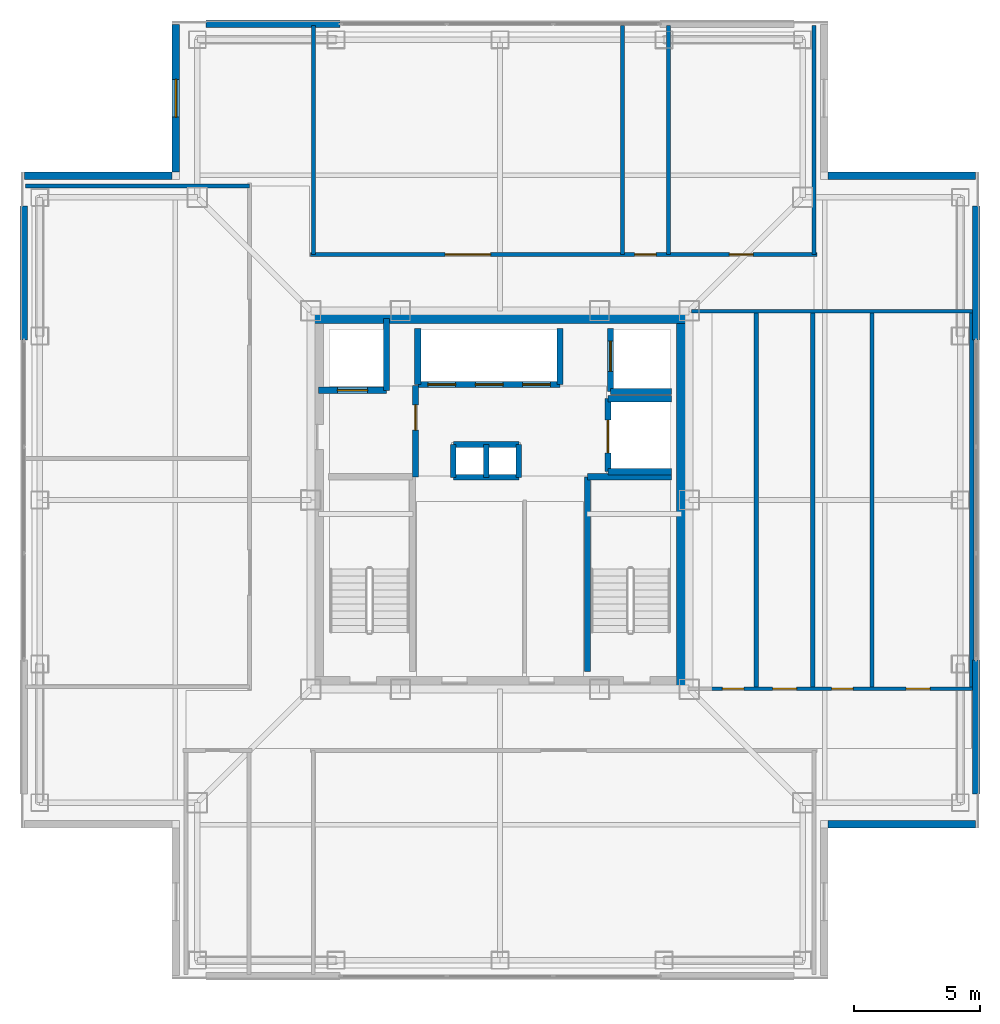
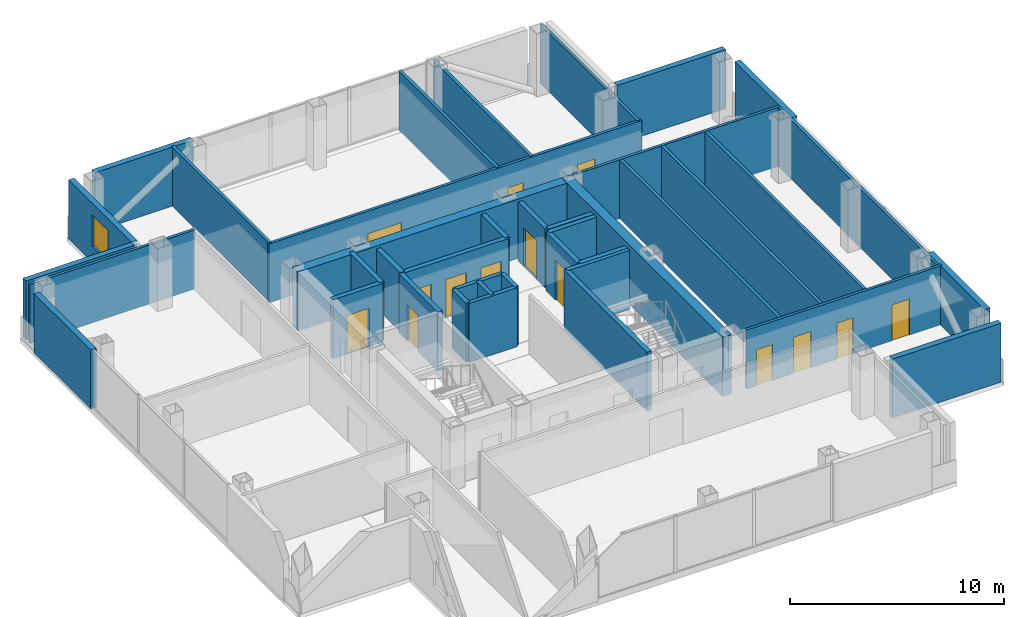
# One storey, part 9 of 16: 40 walls, 14 doors, 1 window, 15 openings.
"""IFC4 building model written with IfcOpenShell, lengths in metres."""

from ifc_helpers import new_model, si_unit, direction, frame, frame_2d, origin, place, context, subcontext, project, spatial, rectangle, extrude, material, layer, layer_set, type_object, element, fill, save


model = new_model("IFC4")

# Units and contexts
model_context = context("Model", 3, precision=1e-05, world=origin(), true_north=direction((0.0, 1.0)))
body_context = subcontext(model_context, "Body", "Model", "MODEL_VIEW")
ifc_project = project(units=[si_unit("LENGTHUNIT", "METRE"), si_unit("AREAUNIT", "SQUARE_METRE"), si_unit("VOLUMEUNIT", "CUBIC_METRE"), si_unit("PLANEANGLEUNIT", "RADIAN"), si_unit("MASSUNIT", "GRAM", prefix="KILO")], contexts=[model_context])

# Site, building, storey
site_placement = place(None, origin())
site = spatial("IfcSite", under=ifc_project, at=site_placement, CompositionType="ELEMENT")
building_placement = place(site_placement, origin())
building = spatial("IfcBuilding", under=site, at=building_placement, Name="Trevonay Congress Spire", CompositionType="ELEMENT")
storey_placement = place(building_placement, frame((0.0, 0.0, 257.60009765625)))
storey = spatial("IfcBuildingStorey", under=building, at=storey_placement, Name="L67", CompositionType="ELEMENT", Elevation=257.60009765625)

# Walls
ifc_material_1 = material(Name="Concrete C50/60", Category="concrete")
ifc_layer_1 = layer(ifc_material_1, 0.5, Name="Concrete C50/60")
ifc_layer_set_1 = layer_set([ifc_layer_1], Name="Concrete C50/60")
wall_type_1 = type_object("IfcWallType", Name="WAL-CORE-500", PredefinedType="SHEAR", material=ifc_layer_set_1)
for number, where, z_axis, x_axis, name in (
    (1, (-7.5, 7.25, 0.0), (0.0, 0.0, 1.0), (1.0, 0.0, 0.0), "L67 North structural core shear wall"),
    (2, (7.25, -7.5, 0.0), (0.0, 0.0, 1.0), (0.0, 1.0, 0.0), "L67 East structural core shear wall"),
):
    element("IfcWall", number, at=place(storey_placement, frame(where, z_axis=z_axis, x_axis=x_axis)), inside=storey, type_object=wall_type_1, Name=name, PredefinedType="SHEAR", context=body_context, shape_type="SweptSolid", body=[
        extrude(rectangle(XDim=15.0, YDim=0.5, at=frame_2d((7.5, 0.0))), origin(), (0.0, 0.0, 1.0), 3.35986328125),
    ])

# Wall, openings, doors
ifc_material_2 = material(Name="Concrete C40/50", Category="concrete")
ifc_layer_2 = layer(ifc_material_2, 0.14990234375, Name="Concrete C40/50")
ifc_layer_set_2 = layer_set([ifc_layer_2], Name="Concrete C40/50")
wall_type_2 = type_object("IfcWallType", Name="WAL-CORR-150", PredefinedType="PARTITIONING", material=ifc_layer_set_2)
wall_1_placement = place(storey_placement, frame((-7.52001953125, 9.72998046875, 0.0), z_axis=(0.0, 0.0, 1.0), x_axis=(1.0, 0.0, 0.0)))
wall_1 = element("IfcWall", 3, at=wall_1_placement, inside=storey, type_object=wall_type_2, Name="L67 interior wall WP-L67N-COR", PredefinedType="PARTITIONING", context=body_context, shape_type="SweptSolid", body=[
    extrude(rectangle(XDim=20.090087890625, YDim=0.14990234375, at=frame_2d((10.044921875, 0.0))), origin(), (0.0, 0.0, 1.0), 3.35986328125),
])
opening_1_placement = place(wall_1_placement, frame((5.344970703125, 0.0, 0.0)))
opening_1 = element("IfcOpeningElement", 4, at=opening_1_placement, cuts=wall_1, Name="Opening D09", PredefinedType="OPENING", context=body_context, shape_type="SweptSolid", body=[
    extrude(rectangle(XDim=1.800048828125, YDim=2.080078125, at=frame_2d((0.89990234375, 1.0400390625))), frame((0.0, 0.0849609375, 0.0), z_axis=(0.0, -1.0, 0.0), x_axis=(1.0, 0.0, 0.0)), (0.0, 0.0, 1.0), 0.169921875),
])
opening_2_placement = place(wall_1_placement, frame((12.860107421875, 0.0, 0.0)))
opening_2 = element("IfcOpeningElement", 5, at=opening_2_placement, cuts=wall_1, Name="Opening D10", PredefinedType="OPENING", context=body_context, shape_type="SweptSolid", body=[
    extrude(rectangle(XDim=0.85009765625, YDim=2.050048828125, at=frame_2d((0.425048828125, 1.02490234375))), frame((0.0, 0.0849609375, 0.0), z_axis=(0.0, -1.0, 0.0), x_axis=(1.0, 0.0, 0.0)), (0.0, 0.0, 1.0), 0.169921875),
])
opening_3_placement = place(wall_1_placement, frame((16.610107421875, 0.0, 0.0)))
opening_3 = element("IfcOpeningElement", 6, at=opening_3_placement, cuts=wall_1, Name="Opening D07", PredefinedType="OPENING", context=body_context, shape_type="SweptSolid", body=[
    extrude(rectangle(XDim=0.949951171875, YDim=2.06005859375, at=frame_2d((0.47509765625, 1.030029296875))), frame((0.0, 0.0849609375, 0.0), z_axis=(0.0, -1.0, 0.0), x_axis=(1.0, 0.0, 0.0)), (0.0, 0.0, 1.0), 0.169921875),
])
ifc_material_3 = material(Name="Pale Anodised Aluminium EN AW-6063-T6", Category="aluminium")
door_type_1 = type_object("IfcDoorType", Name="DOR-CONF-DBL", OperationType="DOUBLE_DOOR_SINGLE_SWING", PredefinedType="DOOR", material=ifc_material_3)
door_1_placement = place(opening_1_placement, origin())
door_1 = element("IfcDoor", 7, at=door_1_placement, inside=storey, type_object=door_type_1, Name="L67 Sky Cocktail Lounge Bar Door", OperationType="DOUBLE_DOOR_SINGLE_SWING", OverallHeight=2.080078125, OverallWidth=1.800048828125, PredefinedType="DOOR", context=body_context, shape_type="SweptSolid", body=[
    extrude(rectangle(XDim=1.800048828125, YDim=2.080078125, at=frame_2d((0.89990234375, 1.0400390625))), frame((0.0, 0.02490234375, 0.0), z_axis=(0.0, -1.0, 0.0), x_axis=(1.0, 0.0, 0.0)), (0.0, 0.0, 1.0), 0.050048828125),
])
fill(opening_1, door_1)
door_type_2 = type_object("IfcDoorType", Name="DOR-OFFICE-95", OperationType="NOTDEFINED", PredefinedType="DOOR", material=ifc_material_3)
door_2_placement = place(opening_3_placement, origin())
door_2 = element("IfcDoor", 8, at=door_2_placement, inside=storey, type_object=door_type_2, Name="L67 Floor Supplies and Copy Room Door", OperationType="SINGLE_SWING_RIGHT", OverallHeight=2.06005859375, OverallWidth=0.949951171875, PredefinedType="DOOR", context=body_context, shape_type="SweptSolid", body=[
    extrude(rectangle(XDim=0.949951171875, YDim=2.06005859375, at=frame_2d((0.47509765625, 1.030029296875))), frame((0.0, 0.02490234375, 0.0), z_axis=(0.0, -1.0, 0.0), x_axis=(1.0, 0.0, 0.0)), (0.0, 0.0, 1.0), 0.050048828125),
])
fill(opening_3, door_2)
door_type_3 = type_object("IfcDoorType", Name="DOR-WC-85", OperationType="NOTDEFINED", PredefinedType="DOOR", material=ifc_material_3)
door_3_placement = place(opening_2_placement, origin())
door_3 = element("IfcDoor", 9, at=door_3_placement, inside=storey, type_object=door_type_3, Name="L67 Accessible WC Door", OperationType="SINGLE_SWING_LEFT", OverallHeight=2.050048828125, OverallWidth=0.85009765625, PredefinedType="DOOR", context=body_context, shape_type="SweptSolid", body=[
    extrude(rectangle(XDim=0.85009765625, YDim=2.050048828125, at=frame_2d((0.425048828125, 1.02490234375))), frame((0.0, 0.02490234375, 0.0), z_axis=(0.0, -1.0, 0.0), x_axis=(1.0, 0.0, 0.0)), (0.0, 0.0, 1.0), 0.050048828125),
])
fill(opening_2, door_3)

wall_2_placement = place(storey_placement, frame((8.280029296875, -7.47998046875, 0.0), z_axis=(0.0, 0.0, 1.0), x_axis=(1.0, 0.0, 0.0)))
wall_2 = element("IfcWall", 10, at=wall_2_placement, inside=storey, type_object=wall_type_2, Name="L67 interior wall WP-L67E-COR", PredefinedType="PARTITIONING", context=body_context, shape_type="SweptSolid", body=[
    extrude(rectangle(XDim=10.5400390625, YDim=0.14990234375, at=frame_2d((5.27001953125, 0.0))), origin(), (0.0, 0.0, 1.0), 3.35986328125),
])
opening_4_placement = place(wall_2_placement, frame((0.534912109375, 0.0, 0.0)))
opening_4 = element("IfcOpeningElement", 11, at=opening_4_placement, cuts=wall_2, Name="Opening D10", PredefinedType="OPENING", context=body_context, shape_type="SweptSolid", body=[
    extrude(rectangle(XDim=0.85009765625, YDim=2.050048828125, at=frame_2d((0.425048828125, 1.02490234375))), frame((0.0, 0.0849609375, 0.0), z_axis=(0.0, -1.0, 0.0), x_axis=(1.0, 0.0, 0.0)), (0.0, 0.0, 1.0), 0.169921875),
])
opening_5_placement = place(wall_2_placement, frame((2.52490234375, 0.0, 0.0)))
opening_5 = element("IfcOpeningElement", 12, at=opening_5_placement, cuts=wall_2, Name="Opening D07", PredefinedType="OPENING", context=body_context, shape_type="SweptSolid", body=[
    extrude(rectangle(XDim=0.949951171875, YDim=2.06005859375, at=frame_2d((0.47509765625, 1.030029296875))), frame((0.0, 0.0849609375, 0.0), z_axis=(0.0, -1.0, 0.0), x_axis=(1.0, 0.0, 0.0)), (0.0, 0.0, 1.0), 0.169921875),
])
opening_6_placement = place(wall_2_placement, frame((4.8701171875, 0.0, 0.0)))
opening_6 = element("IfcOpeningElement", 13, at=opening_6_placement, cuts=wall_2, Name="Opening D10", PredefinedType="OPENING", context=body_context, shape_type="SweptSolid", body=[
    extrude(rectangle(XDim=0.85009765625, YDim=2.050048828125, at=frame_2d((0.425048828125, 1.02490234375))), frame((0.0, 0.0849609375, 0.0), z_axis=(0.0, -1.0, 0.0), x_axis=(1.0, 0.0, 0.0)), (0.0, 0.0, 1.0), 0.169921875),
])
opening_7_placement = place(wall_2_placement, frame((7.820068359375, 0.0, 0.0)))
opening_7 = element("IfcOpeningElement", 14, at=opening_7_placement, cuts=wall_2, Name="Opening D07", PredefinedType="OPENING", context=body_context, shape_type="SweptSolid", body=[
    extrude(rectangle(XDim=0.949951171875, YDim=2.06005859375, at=frame_2d((0.47509765625, 1.030029296875))), frame((0.0, 0.0849609375, 0.0), z_axis=(0.0, -1.0, 0.0), x_axis=(1.0, 0.0, 0.0)), (0.0, 0.0, 1.0), 0.169921875),
])
door_4_placement = place(opening_5_placement, origin())
door_4 = element("IfcDoor", 15, at=door_4_placement, inside=storey, type_object=door_type_2, Name="L67 Floor Supplies and Copy Room Door", OperationType="SINGLE_SWING_RIGHT", OverallHeight=2.06005859375, OverallWidth=0.949951171875, PredefinedType="DOOR", context=body_context, shape_type="SweptSolid", body=[
    extrude(rectangle(XDim=0.949951171875, YDim=2.06005859375, at=frame_2d((0.47509765625, 1.030029296875))), frame((0.0, 0.02490234375, 0.0), z_axis=(0.0, -1.0, 0.0), x_axis=(1.0, 0.0, 0.0)), (0.0, 0.0, 1.0), 0.050048828125),
])
fill(opening_5, door_4)
door_5_placement = place(opening_7_placement, origin())
door_5 = element("IfcDoor", 16, at=door_5_placement, inside=storey, type_object=door_type_2, Name="L67 Floor Supplies and Copy Room Door", OperationType="SINGLE_SWING_RIGHT", OverallHeight=2.06005859375, OverallWidth=0.949951171875, PredefinedType="DOOR", context=body_context, shape_type="SweptSolid", body=[
    extrude(rectangle(XDim=0.949951171875, YDim=2.06005859375, at=frame_2d((0.47509765625, 1.030029296875))), frame((0.0, 0.02490234375, 0.0), z_axis=(0.0, -1.0, 0.0), x_axis=(1.0, 0.0, 0.0)), (0.0, 0.0, 1.0), 0.050048828125),
])
fill(opening_7, door_5)
door_6_placement = place(opening_4_placement, origin())
door_6 = element("IfcDoor", 17, at=door_6_placement, inside=storey, type_object=door_type_3, Name="L67 Female Restroom WC Door", OperationType="SINGLE_SWING_LEFT", OverallHeight=2.050048828125, OverallWidth=0.85009765625, PredefinedType="DOOR", context=body_context, shape_type="SweptSolid", body=[
    extrude(rectangle(XDim=0.85009765625, YDim=2.050048828125, at=frame_2d((0.425048828125, 1.02490234375))), frame((0.0, 0.02490234375, 0.0), z_axis=(0.0, -1.0, 0.0), x_axis=(1.0, 0.0, 0.0)), (0.0, 0.0, 1.0), 0.050048828125),
])
fill(opening_4, door_6)
door_7_placement = place(opening_6_placement, origin())
door_7 = element("IfcDoor", 18, at=door_7_placement, inside=storey, type_object=door_type_3, Name="L67 Male Restroom WC Door", OperationType="SINGLE_SWING_LEFT", OverallHeight=2.050048828125, OverallWidth=0.85009765625, PredefinedType="DOOR", context=body_context, shape_type="SweptSolid", body=[
    extrude(rectangle(XDim=0.85009765625, YDim=2.050048828125, at=frame_2d((0.425048828125, 1.02490234375))), frame((0.0, 0.02490234375, 0.0), z_axis=(0.0, -1.0, 0.0), x_axis=(1.0, 0.0, 0.0)), (0.0, 0.0, 1.0), 0.050048828125),
])
fill(opening_6, door_7)

# Walls
ifc_material_4 = material(Name="Precast concrete C40/50", Category="concrete")
ifc_layer_3 = layer(ifc_material_4, 0.300048828125, Name="Precast concrete C40/50")
ifc_layer_set_3 = layer_set([ifc_layer_3], Name="Precast concrete C40/50")
wall_type_3 = type_object("IfcWallType", Name="WAL-EXT-PRECAST-300", PredefinedType="SOLIDWALL", material=ifc_layer_set_3)
for number, where, z_axis, x_axis, name in (
    (19, (-11.64990234375, 18.8798828125, 0.0), (0.0, 0.0, 1.0), (1.0, 0.0, 0.0), "L67 NL braced-bay exterior pier wall"),
    (20, (-18.8798828125, 6.35009765625, 0.0), (0.0, 0.0, 1.0), (0.0, 1.0, 0.0), "L67 WR braced-bay exterior pier wall"),
    (21, (18.8798828125, -11.64990234375, 0.0), (0.0, 0.0, 1.0), (0.0, 1.0, 0.0), "L67 EL braced-bay exterior pier wall"),
    (22, (18.8798828125, 6.35009765625, 0.0), (0.0, 0.0, 1.0), (0.0, 1.0, 0.0), "L67 ER braced-bay exterior pier wall"),
):
    element("IfcWall", number, at=place(storey_placement, frame(where, z_axis=z_axis, x_axis=x_axis)), inside=storey, type_object=wall_type_3, Name=name, PredefinedType="SOLIDWALL", context=body_context, shape_type="SweptSolid", body=[
        extrude(rectangle(XDim=5.2998046875, YDim=0.300048828125, at=frame_2d((2.64990234375, 0.0))), origin(), (0.0, 0.0, 1.0), 3.35986328125),
    ])
for number, where, z_axis, x_axis, name in (
    (23, (18.85009765625, -12.85009765625, 0.0), (0.0, 0.0, 1.0), (-1.0, 0.0, 0.0), "L67 SE re-entrant notch exterior wall 2"),
    (24, (18.85009765625, 12.85009765625, 0.0), (0.0, 0.0, 1.0), (-1.0, 0.0, 0.0), "L67 NE re-entrant notch exterior wall 2"),
):
    element("IfcWall", number, at=place(storey_placement, frame(where, z_axis=z_axis, x_axis=x_axis)), inside=storey, type_object=wall_type_3, Name=name, PredefinedType="SOLIDWALL", context=body_context, shape_type="SweptSolid", body=[
        extrude(rectangle(XDim=5.85009765625, YDim=0.300048828125, at=frame_2d((2.925048828125, 0.0))), origin(), (0.0, 0.0, 1.0), 3.35986328125),
    ])

# Wall, opening, window
wall_3_placement = place(storey_placement, frame((-12.85009765625, 18.85009765625, 0.0), z_axis=(0.0, 0.0, 1.0), x_axis=(0.0, -1.0, 0.0)))
wall_3 = element("IfcWall", 25, at=wall_3_placement, inside=storey, type_object=wall_type_3, Name="L67 NW re-entrant notch exterior wall 1", PredefinedType="SOLIDWALL", context=body_context, shape_type="SweptSolid", body=[
    extrude(rectangle(XDim=5.85009765625, YDim=0.300048828125, at=frame_2d((2.925048828125, 0.0))), origin(), (0.0, 0.0, 1.0), 3.35986328125),
])
opening_8_placement = place(wall_3_placement, frame((2.175048828125, 0.0, 0.89990234375)))
opening_8 = element("IfcOpeningElement", 26, at=opening_8_placement, cuts=wall_3, Name="Opening WN03", PredefinedType="OPENING", context=body_context, shape_type="SweptSolid", body=[
    extrude(rectangle(XDim=1.5, YDim=1.800048828125, at=frame_2d((0.75, 0.89990234375))), frame((0.0, 0.16015625, 0.0), z_axis=(0.0, -1.0, 0.0), x_axis=(1.0, 0.0, 0.0)), (0.0, 0.0, 1.0), 0.320068359375),
])
ifc_material_5 = material(Name="Insulated Low-E Vision Glass IGU", Category="glass")
window_type = type_object("IfcWindowType", Name="WIN-NOTCH-150X180", PartitioningType="SINGLE_PANEL", PredefinedType="WINDOW", material=ifc_material_5)
window_placement = place(opening_8_placement, origin())
window = element("IfcWindow", 27, at=window_placement, inside=storey, type_object=window_type, Name="L67 NW corner notch window", OverallHeight=1.800048828125, OverallWidth=1.5, PartitioningType="SINGLE_PANEL", PredefinedType="WINDOW", context=body_context, shape_type="SweptSolid", body=[
    extrude(rectangle(XDim=1.5, YDim=1.800048828125, at=frame_2d((0.75, 0.89990234375))), frame((0.0, 0.030029296875, 0.0), z_axis=(0.0, -1.0, 0.0), x_axis=(1.0, 0.0, 0.0)), (0.0, 0.0, 1.0), 0.06005859375),
])
fill(opening_8, window)

# Walls
wall_4_placement = place(storey_placement, frame((-18.85009765625, 12.85009765625, 0.0), z_axis=(0.0, 0.0, 1.0), x_axis=(1.0, 0.0, 0.0)))
element("IfcWall", 28, at=wall_4_placement, inside=storey, type_object=wall_type_3, Name="L67 NW re-entrant notch exterior wall 2", PredefinedType="SOLIDWALL", context=body_context, shape_type="SweptSolid", body=[
    extrude(rectangle(XDim=5.85009765625, YDim=0.300048828125, at=frame_2d((2.925048828125, 0.0))), origin(), (0.0, 0.0, 1.0), 3.35986328125),
])
ifc_layer_4 = layer(ifc_material_2, 0.14990234375, Name="Concrete C40/50")
ifc_layer_set_4 = layer_set([ifc_layer_4], Name="Concrete C40/50")
wall_type_4 = type_object("IfcWallType", Name="WAL-PART-150", PredefinedType="PARTITIONING", material=ifc_layer_set_4)
wall_5_placement = place(storey_placement, frame((-18.820068359375, 12.449951171875, 0.0), z_axis=(0.0, 0.0, 1.0), x_axis=(1.0, 0.0, 0.0)))
element("IfcWall", 29, at=wall_5_placement, inside=storey, type_object=wall_type_4, Name="L67 interior wall WP-L67NW-DIV3", PredefinedType="PARTITIONING", context=body_context, shape_type="SweptSolid", body=[
    extrude(rectangle(XDim=8.89013671875, YDim=0.14990234375, at=frame_2d((4.445068359375, 0.0))), origin(), (0.0, 0.0, 1.0), 3.35986328125),
])
wall_6_placement = place(storey_placement, frame((12.449951171875, 9.72998046875, 0.0), z_axis=(0.0, 0.0, 1.0), x_axis=(0.0, 1.0, 0.0)))
element("IfcWall", 30, at=wall_6_placement, inside=storey, type_object=wall_type_4, Name="L67 interior wall WP-L67N-DIV3", PredefinedType="PARTITIONING", context=body_context, shape_type="SweptSolid", body=[
    extrude(rectangle(XDim=9.090087890625, YDim=0.14990234375, at=frame_2d((4.544921875, 0.0))), origin(), (0.0, 0.0, 1.0), 3.35986328125),
])
wall_7_placement = place(storey_placement, frame((7.60009765625, 7.47998046875, 0.0), z_axis=(0.0, 0.0, 1.0), x_axis=(1.0, 0.0, 0.0)))
element("IfcWall", 31, at=wall_7_placement, inside=storey, type_object=wall_type_4, Name="L67 interior wall WP-L67E-NCLS", PredefinedType="PARTITIONING", context=body_context, shape_type="SweptSolid", body=[
    extrude(rectangle(XDim=11.219970703125, YDim=0.14990234375, at=frame_2d((5.60986328125, 0.0))), origin(), (0.0, 0.0, 1.0), 3.35986328125),
])
ifc_layer_5 = layer(ifc_material_2, 0.219970703125, Name="Concrete C40/50")
ifc_layer_set_5 = layer_set([ifc_layer_5], Name="Concrete C40/50")
wall_type_5 = type_object("IfcWallType", Name="WAL-SHAFT-220", PredefinedType="PARTITIONING", material=ifc_layer_set_5)
for number, where, z_axis, x_axis, name in (
    (32, (-1.85009765625, 2.199951171875, 0.0), (0.0, 0.0, 1.0), (1.0, 0.0, 0.0), "L67 interior shaft wall WSH-L67-RSR-N"),
    (33, (-1.85009765625, 0.89990234375, 0.0), (0.0, 0.0, 1.0), (1.0, 0.0, 0.0), "L67 interior shaft wall WSH-L67-RSR-S"),
):
    element("IfcWall", number, at=place(storey_placement, frame(where, z_axis=z_axis, x_axis=x_axis)), inside=storey, type_object=wall_type_5, Name=name, PredefinedType="PARTITIONING", context=body_context, shape_type="SweptSolid", body=[
        extrude(rectangle(XDim=2.60009765625, YDim=0.219970703125, at=frame_2d((1.300048828125, 0.0))), origin(), (0.0, 0.0, 1.0), 3.35986328125),
    ])
for number, where, z_axis, x_axis, name in (
    (34, (-0.550048828125, 0.89990234375, 0.0), (0.0, 0.0, 1.0), (0.0, 1.0, 0.0), "L67 interior shaft wall WSH-L67-RSR-M"),
    (35, (0.75, 0.89990234375, 0.0), (0.0, 0.0, 1.0), (0.0, 1.0, 0.0), "L67 interior shaft wall WSH-L67-RSR-E"),
    (36, (-1.85009765625, 0.89990234375, 0.0), (0.0, 0.0, 1.0), (0.0, 1.0, 0.0), "L67 interior shaft wall WSH-L67-RSR-W"),
):
    element("IfcWall", number, at=place(storey_placement, frame(where, z_axis=z_axis, x_axis=x_axis)), inside=storey, type_object=wall_type_5, Name=name, PredefinedType="PARTITIONING", context=body_context, shape_type="SweptSolid", body=[
        extrude(rectangle(XDim=1.300048828125, YDim=0.219970703125, at=frame_2d((0.64990234375, 0.0))), origin(), (0.0, 0.0, 1.0), 3.35986328125),
    ])

# Wall, openings, doors
ifc_layer_6 = layer(ifc_material_2, 0.25, Name="Concrete C40/50")
ifc_layer_set_6 = layer_set([ifc_layer_6], Name="Concrete C40/50")
wall_type_6 = type_object("IfcWallType", Name="WAL-SHAFT-250", PredefinedType="SHEAR", material=ifc_layer_set_6)
wall_8_placement = place(storey_placement, frame((-3.260009765625, 4.580078125, 0.0), z_axis=(0.0, 0.0, 1.0), x_axis=(1.0, 0.0, 0.0)))
wall_8 = element("IfcWall", 37, at=wall_8_placement, inside=storey, type_object=wall_type_6, Name="L67 interior shaft wall WSH-L67-B3-S", PredefinedType="SHEAR", context=body_context, shape_type="SweptSolid", body=[
    extrude(rectangle(XDim=5.639892578125, YDim=0.25, at=frame_2d((2.81982421875, 0.0))), origin(), (0.0, 0.0, 1.0), 3.35986328125),
])
opening_9_placement = place(wall_8_placement, frame((0.39990234375, 0.0, 0.0)))
opening_9 = element("IfcOpeningElement", 38, at=opening_9_placement, cuts=wall_8, Name="Opening LD03", PredefinedType="OPENING", context=body_context, shape_type="SweptSolid", body=[
    extrude(rectangle(XDim=1.10009765625, YDim=2.199951171875, at=frame_2d((0.550048828125, 1.10009765625))), frame((0.0, 0.135009765625, 0.0), z_axis=(0.0, -1.0, 0.0), x_axis=(1.0, 0.0, 0.0)), (0.0, 0.0, 1.0), 0.27001953125),
])
opening_10_placement = place(wall_8_placement, frame((2.280029296875, 0.0, 0.0)))
opening_10 = element("IfcOpeningElement", 39, at=opening_10_placement, cuts=wall_8, Name="Opening LD03", PredefinedType="OPENING", context=body_context, shape_type="SweptSolid", body=[
    extrude(rectangle(XDim=1.10009765625, YDim=2.199951171875, at=frame_2d((0.550048828125, 1.10009765625))), frame((0.0, 0.135009765625, 0.0), z_axis=(0.0, -1.0, 0.0), x_axis=(1.0, 0.0, 0.0)), (0.0, 0.0, 1.0), 0.27001953125),
])
opening_11_placement = place(wall_8_placement, frame((4.159912109375, 0.0, 0.0)))
opening_11 = element("IfcOpeningElement", 40, at=opening_11_placement, cuts=wall_8, Name="Opening LD03", PredefinedType="OPENING", context=body_context, shape_type="SweptSolid", body=[
    extrude(rectangle(XDim=1.10009765625, YDim=2.199951171875, at=frame_2d((0.550048828125, 1.10009765625))), frame((0.0, 0.135009765625, 0.0), z_axis=(0.0, -1.0, 0.0), x_axis=(1.0, 0.0, 0.0)), (0.0, 0.0, 1.0), 0.27001953125),
])
door_type_4 = type_object("IfcDoorType", Name="DOR-LIFT-LD03", OperationType="DOUBLE_DOOR_SLIDING", PredefinedType="DOOR", material=ifc_material_3)
door_8_placement = place(opening_9_placement, origin())
door_8 = element("IfcDoor", 41, at=door_8_placement, inside=storey, type_object=door_type_4, Name="L67 Passenger lift PL-07 landing door", OperationType="DOUBLE_DOOR_SLIDING", OverallHeight=2.199951171875, OverallWidth=1.10009765625, PredefinedType="DOOR", context=body_context, shape_type="SweptSolid", body=[
    extrude(rectangle(XDim=1.10009765625, YDim=2.199951171875, at=frame_2d((0.550048828125, 1.10009765625))), frame((0.0, 0.02490234375, 0.0), z_axis=(0.0, -1.0, 0.0), x_axis=(1.0, 0.0, 0.0)), (0.0, 0.0, 1.0), 0.050048828125),
])
fill(opening_9, door_8)
door_9_placement = place(opening_10_placement, origin())
door_9 = element("IfcDoor", 42, at=door_9_placement, inside=storey, type_object=door_type_4, Name="L67 Passenger lift PL-08 landing door", OperationType="DOUBLE_DOOR_SLIDING", OverallHeight=2.199951171875, OverallWidth=1.10009765625, PredefinedType="DOOR", context=body_context, shape_type="SweptSolid", body=[
    extrude(rectangle(XDim=1.10009765625, YDim=2.199951171875, at=frame_2d((0.550048828125, 1.10009765625))), frame((0.0, 0.02490234375, 0.0), z_axis=(0.0, -1.0, 0.0), x_axis=(1.0, 0.0, 0.0)), (0.0, 0.0, 1.0), 0.050048828125),
])
fill(opening_10, door_9)
door_10_placement = place(opening_11_placement, origin())
door_10 = element("IfcDoor", 43, at=door_10_placement, inside=storey, type_object=door_type_4, Name="L67 Passenger lift PL-09 landing door", OperationType="DOUBLE_DOOR_SLIDING", OverallHeight=2.199951171875, OverallWidth=1.10009765625, PredefinedType="DOOR", context=body_context, shape_type="SweptSolid", body=[
    extrude(rectangle(XDim=1.10009765625, YDim=2.199951171875, at=frame_2d((0.550048828125, 1.10009765625))), frame((0.0, 0.02490234375, 0.0), z_axis=(0.0, -1.0, 0.0), x_axis=(1.0, 0.0, 0.0)), (0.0, 0.0, 1.0), 0.050048828125),
])
fill(opening_11, door_10)

# Walls
for number, where, z_axis, x_axis, name in (
    (44, (-3.260009765625, 4.580078125, 0.0), (0.0, 0.0, 1.0), (0.0, 1.0, 0.0), "L67 interior shaft wall WSH-L67-B3-W"),
    (45, (2.3798828125, 4.580078125, 0.0), (0.0, 0.0, 1.0), (0.0, 1.0, 0.0), "L67 interior shaft wall WSH-L67-B3-E"),
):
    element("IfcWall", number, at=place(storey_placement, frame(where, z_axis=z_axis, x_axis=x_axis)), inside=storey, type_object=wall_type_6, Name=name, PredefinedType="SHEAR", context=body_context, shape_type="SweptSolid", body=[
        extrude(rectangle(XDim=2.219970703125, YDim=0.25, at=frame_2d((1.10986328125, 0.0))), origin(), (0.0, 0.0, 1.0), 3.35986328125),
    ])

# Wall, opening, door
wall_9_placement = place(storey_placement, frame((-7.199951171875, 4.35009765625, 0.0), z_axis=(0.0, 0.0, 1.0), x_axis=(1.0, 0.0, 0.0)))
wall_9 = element("IfcWall", 46, at=wall_9_placement, inside=storey, type_object=wall_type_6, Name="L67 interior shaft wall WSH-L67-FF1-S", PredefinedType="SHEAR", context=body_context, shape_type="SweptSolid", body=[
    extrude(rectangle(XDim=2.699951171875, YDim=0.25, at=frame_2d((1.35009765625, 0.0))), origin(), (0.0, 0.0, 1.0), 3.35986328125),
])
opening_12_placement = place(wall_9_placement, frame((0.75, 0.0, 0.0)))
opening_12 = element("IfcOpeningElement", 47, at=opening_12_placement, cuts=wall_9, Name="Opening LD04", PredefinedType="OPENING", context=body_context, shape_type="SweptSolid", body=[
    extrude(rectangle(XDim=1.199951171875, YDim=2.199951171875, at=frame_2d((0.60009765625, 1.10009765625))), frame((0.0, 0.135009765625, 0.0), z_axis=(0.0, -1.0, 0.0), x_axis=(1.0, 0.0, 0.0)), (0.0, 0.0, 1.0), 0.27001953125),
])
ifc_material_6 = material(Name="Steel ASTM A572 Grade 50", Category="steel")
door_type_5 = type_object("IfcDoorType", Name="DOR-LIFT-LD04", OperationType="DOUBLE_DOOR_SLIDING", PredefinedType="DOOR", material=ifc_material_6)
door_11_placement = place(opening_12_placement, origin())
door_11 = element("IfcDoor", 48, at=door_11_placement, inside=storey, type_object=door_type_5, Name="L67 Firefighting lift FFL-01 landing door", OperationType="DOUBLE_DOOR_SLIDING", OverallHeight=2.199951171875, OverallWidth=1.199951171875, PredefinedType="DOOR", context=body_context, shape_type="SweptSolid", body=[
    extrude(rectangle(XDim=1.199951171875, YDim=2.199951171875, at=frame_2d((0.60009765625, 1.10009765625))), frame((0.0, 0.02490234375, 0.0), z_axis=(0.0, -1.0, 0.0), x_axis=(1.0, 0.0, 0.0)), (0.0, 0.0, 1.0), 0.050048828125),
])
fill(opening_12, door_11)

# Walls
wall_10_placement = place(storey_placement, frame((-4.5, 4.35009765625, 0.0), z_axis=(0.0, 0.0, 1.0), x_axis=(0.0, 1.0, 0.0)))
element("IfcWall", 49, at=wall_10_placement, inside=storey, type_object=wall_type_6, Name="L67 interior shaft wall WSH-L67-FF1-E", PredefinedType="SHEAR", context=body_context, shape_type="SweptSolid", body=[
    extrude(rectangle(XDim=2.849853515625, YDim=0.25, at=frame_2d((1.4248046875, 0.0))), origin(), (0.0, 0.0, 1.0), 3.35986328125),
])
wall_11_placement = place(storey_placement, frame((4.3798828125, 4.300048828125, 0.0), z_axis=(0.0, 0.0, 1.0), x_axis=(1.0, 0.0, 0.0)))
element("IfcWall", 50, at=wall_11_placement, inside=storey, type_object=wall_type_6, Name="L67 interior shaft wall WSH-L67-FF2-S", PredefinedType="SHEAR", context=body_context, shape_type="SweptSolid", body=[
    extrude(rectangle(XDim=2.420166015625, YDim=0.25, at=frame_2d((1.2099609375, 0.0))), origin(), (0.0, 0.0, 1.0), 3.35986328125),
])

# Wall, opening, door
wall_12_placement = place(storey_placement, frame((4.3798828125, 4.300048828125, 0.0), z_axis=(0.0, 0.0, 1.0), x_axis=(0.0, 1.0, 0.0)))
wall_12 = element("IfcWall", 51, at=wall_12_placement, inside=storey, type_object=wall_type_6, Name="L67 interior shaft wall WSH-L67-FF2-W", PredefinedType="SHEAR", context=body_context, shape_type="SweptSolid", body=[
    extrude(rectangle(XDim=2.5, YDim=0.25, at=frame_2d((1.25, 0.0))), origin(), (0.0, 0.0, 1.0), 3.35986328125),
])
opening_13_placement = place(wall_12_placement, frame((0.800048828125, 0.0, 0.0)))
opening_13 = element("IfcOpeningElement", 52, at=opening_13_placement, cuts=wall_12, Name="Opening LD04", PredefinedType="OPENING", context=body_context, shape_type="SweptSolid", body=[
    extrude(rectangle(XDim=1.199951171875, YDim=2.199951171875, at=frame_2d((0.60009765625, 1.10009765625))), frame((0.0, 0.135009765625, 0.0), z_axis=(0.0, -1.0, 0.0), x_axis=(1.0, 0.0, 0.0)), (0.0, 0.0, 1.0), 0.27001953125),
])
door_12_placement = place(opening_13_placement, origin())
door_12 = element("IfcDoor", 53, at=door_12_placement, inside=storey, type_object=door_type_5, Name="L67 Firefighting lift FFL-02 landing door", OperationType="DOUBLE_DOOR_SLIDING", OverallHeight=2.199951171875, OverallWidth=1.199951171875, PredefinedType="DOOR", context=body_context, shape_type="SweptSolid", body=[
    extrude(rectangle(XDim=1.199951171875, YDim=2.199951171875, at=frame_2d((0.60009765625, 1.10009765625))), frame((0.0, 0.02490234375, 0.0), z_axis=(0.0, -1.0, 0.0), x_axis=(1.0, 0.0, 0.0)), (0.0, 0.0, 1.0), 0.050048828125),
])
fill(opening_13, door_12)

wall_13_placement = place(storey_placement, frame((4.280029296875, 1.1201171875, 0.0), z_axis=(0.0, 0.0, 1.0), x_axis=(0.0, 1.0, 0.0)))
wall_13 = element("IfcWall", 54, at=wall_13_placement, inside=storey, type_object=wall_type_6, Name="L67 interior shaft wall WSH-L67-SV-W", PredefinedType="SHEAR", context=body_context, shape_type="SweptSolid", body=[
    extrude(rectangle(XDim=2.89990234375, YDim=0.25, at=frame_2d((1.449951171875, 0.0))), origin(), (0.0, 0.0, 1.0), 3.35986328125),
])
opening_14_placement = place(wall_13_placement, frame((0.75, 0.0, 0.0)))
opening_14 = element("IfcOpeningElement", 55, at=opening_14_placement, cuts=wall_13, Name="Opening LD05", PredefinedType="OPENING", context=body_context, shape_type="SweptSolid", body=[
    extrude(rectangle(XDim=1.300048828125, YDim=2.300048828125, at=frame_2d((0.64990234375, 1.14990234375))), frame((0.0, 0.135009765625, 0.0), z_axis=(0.0, -1.0, 0.0), x_axis=(1.0, 0.0, 0.0)), (0.0, 0.0, 1.0), 0.27001953125),
])
door_type_6 = type_object("IfcDoorType", Name="DOR-LIFT-LD05", OperationType="DOUBLE_DOOR_SLIDING", PredefinedType="DOOR", material=ifc_material_6)
door_13_placement = place(opening_14_placement, origin())
door_13 = element("IfcDoor", 56, at=door_13_placement, inside=storey, type_object=door_type_6, Name="L67 Goods lift SVL-01 landing door", OperationType="DOUBLE_DOOR_SLIDING", OverallHeight=2.300048828125, OverallWidth=1.300048828125, PredefinedType="DOOR", context=body_context, shape_type="SweptSolid", body=[
    extrude(rectangle(XDim=1.300048828125, YDim=2.300048828125, at=frame_2d((0.64990234375, 1.14990234375))), frame((0.0, 0.02490234375, 0.0), z_axis=(0.0, -1.0, 0.0), x_axis=(1.0, 0.0, 0.0)), (0.0, 0.0, 1.0), 0.050048828125),
])
fill(opening_14, door_13)

# Walls
for number, where, z_axis, x_axis, name in (
    (57, (4.280029296875, 1.1201171875, 0.0), (0.0, 0.0, 1.0), (1.0, 0.0, 0.0), "L67 interior shaft wall WSH-L67-SV-S"),
    (58, (4.280029296875, 4.02001953125, 0.0), (0.0, 0.0, 1.0), (1.0, 0.0, 0.0), "L67 interior shaft wall WSH-L67-SV-N"),
):
    element("IfcWall", number, at=place(storey_placement, frame(where, z_axis=z_axis, x_axis=x_axis)), inside=storey, type_object=wall_type_6, Name=name, PredefinedType="SHEAR", context=body_context, shape_type="SweptSolid", body=[
        extrude(rectangle(XDim=2.52001953125, YDim=0.25, at=frame_2d((1.260009765625, 0.0))), origin(), (0.0, 0.0, 1.0), 3.35986328125),
    ])

# Wall, opening, door
wall_14_placement = place(storey_placement, frame((-3.35009765625, 0.919921875, 0.0), z_axis=(0.0, 0.0, 1.0), x_axis=(0.0, 1.0, 0.0)))
wall_14 = element("IfcWall", 59, at=wall_14_placement, inside=storey, type_object=wall_type_6, Name="L67 interior wall CW-FFLW-E-L67", PredefinedType="SHEAR", context=body_context, shape_type="SweptSolid", body=[
    extrude(rectangle(XDim=3.6201171875, YDim=0.25, at=frame_2d((1.81005859375, 0.0))), origin(), (0.0, 0.0, 1.0), 3.35986328125),
])
opening_15_placement = place(wall_14_placement, frame((1.85009765625, 0.0, 0.0)))
opening_15 = element("IfcOpeningElement", 60, at=opening_15_placement, cuts=wall_14, Name="Opening D06", PredefinedType="OPENING", context=body_context, shape_type="SweptSolid", body=[
    extrude(rectangle(XDim=1.0, YDim=2.080078125, at=frame_2d((0.5, 1.0400390625))), frame((0.0, 0.135009765625, 0.0), z_axis=(0.0, -1.0, 0.0), x_axis=(1.0, 0.0, 0.0)), (0.0, 0.0, 1.0), 0.27001953125),
])
door_type_7 = type_object("IfcDoorType", Name="DOR-FIRE-100", OperationType="NOTDEFINED", PredefinedType="DOOR", material=ifc_material_6)
door_14_placement = place(opening_15_placement, origin())
door_14 = element("IfcDoor", 61, at=door_14_placement, inside=storey, type_object=door_type_7, Name="L67 Firefighting Core Lobby Transfer Door", OperationType="SINGLE_SWING_LEFT", OverallHeight=2.080078125, OverallWidth=1.0, PredefinedType="DOOR", context=body_context, shape_type="SweptSolid", body=[
    extrude(rectangle(XDim=1.0, YDim=2.080078125, at=frame_2d((0.5, 1.0400390625))), frame((0.0, 0.02490234375, 0.0), z_axis=(0.0, -1.0, 0.0), x_axis=(1.0, 0.0, 0.0)), (0.0, 0.0, 1.0), 0.050048828125),
])
fill(opening_15, door_14)

# Walls
ifc_layer_7 = layer(ifc_material_2, 0.25, Name="Concrete C40/50")
ifc_layer_set_7 = layer_set([ifc_layer_7], Name="Concrete C40/50")
wall_type_7 = type_object("IfcWallType", Name="WAL-SHAFT-LB-250", PredefinedType="SHEAR", material=ifc_layer_set_7)
wall_15_placement = place(storey_placement, frame((3.469970703125, -6.800048828125, 0.0), z_axis=(0.0, 0.0, 1.0), x_axis=(0.0, 1.0, 0.0)))
element("IfcWall", 62, at=wall_15_placement, inside=storey, type_object=wall_type_7, Name="L67 interior shaft wall WSH-L67-ST2-W", PredefinedType="SHEAR", context=body_context, shape_type="SweptSolid", body=[
    extrude(rectangle(XDim=7.719970703125, YDim=0.25, at=frame_2d((3.85986328125, 0.0))), origin(), (0.0, 0.0, 1.0), 3.35986328125),
])
wall_16_placement = place(storey_placement, frame((3.469970703125, 0.919921875, 0.0), z_axis=(0.0, 0.0, 1.0), x_axis=(1.0, 0.0, 0.0)))
element("IfcWall", 63, at=wall_16_placement, inside=storey, type_object=wall_type_7, Name="L67 interior shaft wall WSH-L67-ST2-N", PredefinedType="SHEAR", context=body_context, shape_type="SweptSolid", body=[
    extrude(rectangle(XDim=3.330078125, YDim=0.25, at=frame_2d((1.6650390625, 0.0))), origin(), (0.0, 0.0, 1.0), 3.35986328125),
])
ifc_layer_8 = layer(ifc_material_2, 0.1650390625, Name="Concrete C40/50")
ifc_layer_set_8 = layer_set([ifc_layer_8], Name="Concrete C40/50")
wall_type_8 = type_object("IfcWallType", Name="WAL-WET-165", PredefinedType="PLUMBINGWALL", material=ifc_layer_set_8)
for number, where, z_axis, x_axis, name in (
    (64, (6.679931640625, 9.72998046875, 0.0), (0.0, 0.0, 1.0), (0.0, 1.0, 0.0), "L67 interior wall WP-L67N-WCS2"),
    (65, (-7.39990234375, 9.72998046875, 0.0), (0.0, 0.0, 1.0), (0.0, 1.0, 0.0), "L67 interior wall WP-L67N-DIV1"),
    (66, (4.85009765625, 9.72998046875, 0.0), (0.0, 0.0, 1.0), (0.0, 1.0, 0.0), "L67 interior wall WP-L67N-DIV2"),
):
    element("IfcWall", number, at=place(storey_placement, frame(where, z_axis=z_axis, x_axis=x_axis)), inside=storey, type_object=wall_type_8, Name=name, PredefinedType="PLUMBINGWALL", context=body_context, shape_type="SweptSolid", body=[
        extrude(rectangle(XDim=9.090087890625, YDim=0.1650390625, at=frame_2d((4.544921875, 0.0))), origin(), (0.0, 0.0, 1.0), 3.35986328125),
    ])
for number, where, z_axis, x_axis, name in (
    (67, (10.159912109375, -7.47998046875, 0.0), (0.0, 0.0, 1.0), (0.0, 1.0, 0.0), "L67 interior wall WP-L67E-WCS1"),
    (68, (14.75, -7.47998046875, 0.0), (0.0, 0.0, 1.0), (0.0, 1.0, 0.0), "L67 interior wall WP-L67E-WCS2"),
    (69, (12.39990234375, -7.47998046875, 0.0), (0.0, 0.0, 1.0), (0.0, 1.0, 0.0), "L67 interior wall WP-L67E-DIV1"),
    (70, (18.699951171875, -7.47998046875, 0.0), (0.0, 0.0, 1.0), (0.0, 1.0, 0.0), "L67 interior wall WP-L67E-DIV2"),
):
    element("IfcWall", number, at=place(storey_placement, frame(where, z_axis=z_axis, x_axis=x_axis)), inside=storey, type_object=wall_type_8, Name=name, PredefinedType="PLUMBINGWALL", context=body_context, shape_type="SweptSolid", body=[
        extrude(rectangle(XDim=14.89990234375, YDim=0.1650390625, at=frame_2d((7.449951171875, 0.0))), origin(), (0.0, 0.0, 1.0), 3.35986328125),
    ])

save(model, "model.ifc")
